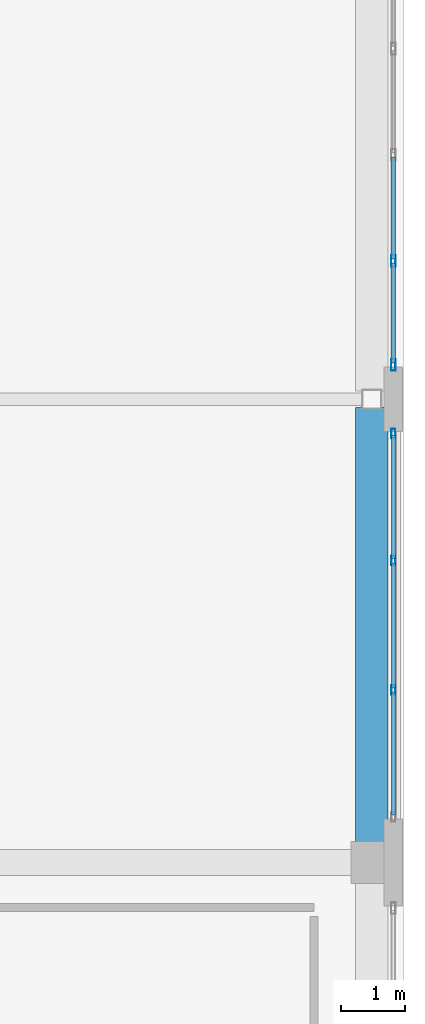
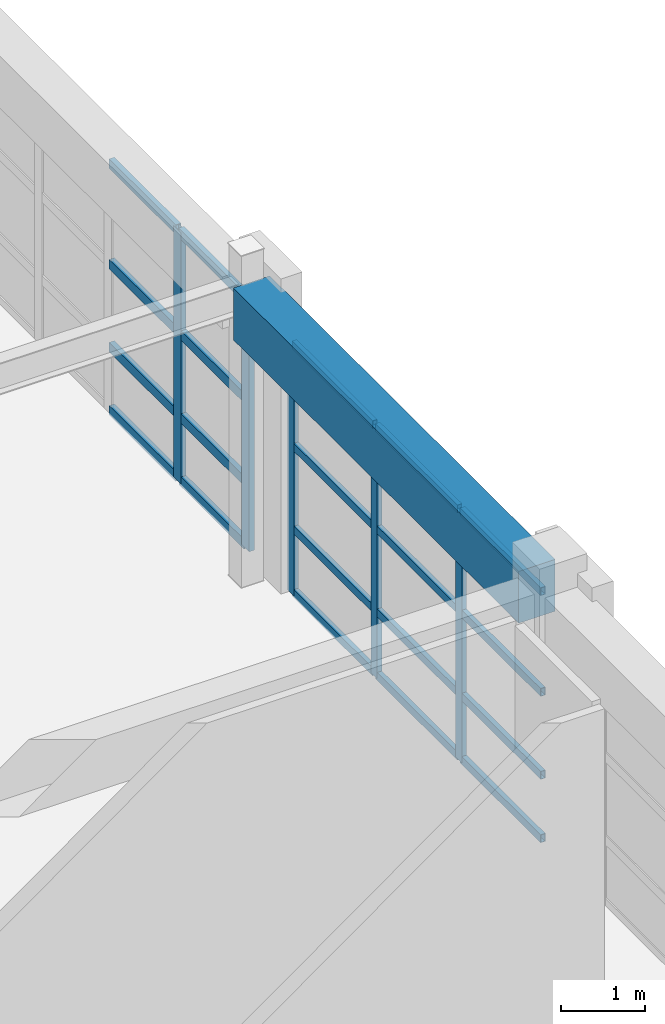
# One storey, part 87 of 123: 25 members, 1 beam, 2 elements without a shape of their own.
"""IFC4 building model written with IfcOpenShell, lengths in metres."""

from ifc_helpers import new_model, si_unit, direction, frame, origin, origin_2d, place, context, subcontext, project, spatial, rectangle, hollow_rectangle, extrude, material, layer, layer_set, material_profile, profile_set, type_object, element, aggregate, save


model = new_model("IFC4")

# Units and contexts
model_context = context("Model", 3, precision=1e-05, world=origin(), true_north=direction((0.0, 1.0)))
body_context = subcontext(model_context, "Body", "Model", "MODEL_VIEW")
ifc_project = project(units=[si_unit("LENGTHUNIT", "METRE"), si_unit("AREAUNIT", "SQUARE_METRE"), si_unit("VOLUMEUNIT", "CUBIC_METRE"), si_unit("PLANEANGLEUNIT", "RADIAN"), si_unit("MASSUNIT", "GRAM", prefix="KILO")], contexts=[model_context])

# Site, building, storey
site_placement = place(None, origin())
site = spatial("IfcSite", under=ifc_project, at=site_placement, CompositionType="ELEMENT")
building_placement = place(site_placement, origin())
building = spatial("IfcBuilding", under=site, at=building_placement, Name="Quendrovan Civic Courthouse", CompositionType="ELEMENT")
storey_placement = place(building_placement, frame((0.0, 0.0, 5.39990234375)))
storey = spatial("IfcBuildingStorey", under=building, at=storey_placement, Name="L02", CompositionType="ELEMENT", Elevation=5.39990234375)

# Beam
ifc_material_1 = material(Name="Concrete C40/50", Category="concrete")
ifc_material_profile_1 = material_profile(ifc_material_1, rectangle(XDim=0.5, YDim=0.75, at=origin_2d()), Name="RC-BM-500x750")
ifc_profile_set_1 = profile_set([ifc_material_profile_1], Name="Concrete C40/50")
beam_type = type_object("IfcBeamType", Name="BM-RC750", PredefinedType="SPANDREL", material=ifc_profile_set_1)
beam_placement = place(storey_placement, frame((160.300048828125, 95.10498046875, 3.985107421875), z_axis=(0.0, 1.0, 0.0), x_axis=(-1.0, 0.0, 0.0)))
element("IfcBeam", 1, at=beam_placement, inside=storey, type_object=beam_type, Name="L02 Girder Y0709", PredefinedType="SPANDREL", context=body_context, shape_type="SweptSolid", body=[
    extrude(rectangle(XDim=0.5, YDim=0.75, at=origin_2d()), origin(), (0.0, 0.0, 1.0), 6.76513671875),
])

# Curtain wall, members
ifc_material_2 = material(Name="Bronze anodised aluminium and low-E glass", Category="aluminium")
ifc_layer_1 = layer(ifc_material_2, 0.179931640625, Name="Bronze anodised aluminium and low-E glass")
ifc_layer_set_1 = layer_set([ifc_layer_1], Name="Bronze anodised aluminium and low-E glass")
curtain_wall_type_1 = type_object("IfcCurtainWallType", Name="CW-U66x36", PredefinedType="USERDEFINED", material=ifc_layer_set_1)
curtain_wall_1_placement = place(storey_placement, origin())
curtain_wall_1 = element("IfcCurtainWall", 2, at=curtain_wall_1_placement, inside=storey, type_object=curtain_wall_type_1, Name="L02 Unitised Hurricane Curtain Wall CW-096", ObjectType="UNITISED CURTAIN WALL", PredefinedType="USERDEFINED")
ifc_material_3 = material(Name="Bronze anodised aluminium", Category="aluminium")
ifc_material_profile_2 = material_profile(ifc_material_3, hollow_rectangle(XDim=0.070068359375, YDim=0.179931640625, WallThickness=0.00390625, at=origin_2d()), Name="CW-MULL-70x180")
ifc_profile_set_2 = profile_set([ifc_material_profile_2], Name="Bronze anodised aluminium")
member_type_1 = type_object("IfcMemberType", Name="CW-MULL-A", PredefinedType="MULLION", material=ifc_profile_set_2)
member_1_placement = place(storey_placement, frame((160.635009765625, 104.14990234375, 0.0), z_axis=(0.0, 0.0, 1.0), x_axis=(1.0, 0.0, 0.0)))
member_1 = element("IfcMember", 3, at=member_1_placement, type_object=member_type_1, Name="CW-096 mullion 4", PredefinedType="MULLION", context=body_context, shape_type="SweptSolid", body=[
    extrude(hollow_rectangle(XDim=0.070068359375, YDim=0.179931640625, WallThickness=0.00390625, at=origin_2d()), origin(), (0.0, 0.0, 1.0), 3.64013671875),
])
member_2_placement = place(storey_placement, frame((160.635009765625, 102.534912109375, 0.0), z_axis=(0.0, 0.0, 1.0), x_axis=(1.0, 0.0, 0.0)))
member_2 = element("IfcMember", 4, at=member_2_placement, type_object=member_type_1, Name="CW-096 mullion 5", PredefinedType="MULLION", context=body_context, shape_type="SweptSolid", body=[
    extrude(hollow_rectangle(XDim=0.070068359375, YDim=0.179931640625, WallThickness=0.00390625, at=origin_2d()), origin(), (0.0, 0.0, 1.0), 3.64013671875),
])

ifc_layer_2 = layer(ifc_material_2, 0.179931640625, Name="Bronze anodised aluminium and low-E glass")
ifc_layer_set_2 = layer_set([ifc_layer_2], Name="Bronze anodised aluminium and low-E glass")
curtain_wall_type_2 = type_object("IfcCurtainWallType", Name="CW-U60x36", PredefinedType="USERDEFINED", material=ifc_layer_set_2)
curtain_wall_2_placement = place(storey_placement, origin())
curtain_wall_2 = element("IfcCurtainWall", 5, at=curtain_wall_2_placement, inside=storey, type_object=curtain_wall_type_2, Name="L02 Unitised Hurricane Curtain Wall CW-097", ObjectType="UNITISED CURTAIN WALL", PredefinedType="USERDEFINED")
ifc_material_profile_3 = material_profile(ifc_material_3, hollow_rectangle(XDim=0.06494140625, YDim=0.14990234375, WallThickness=0.00390625, at=origin_2d()), Name="CW-MULL-65x150")
ifc_profile_set_3 = profile_set([ifc_material_profile_3], Name="Bronze anodised aluminium")
member_type_2 = type_object("IfcMemberType", Name="CW-MULL-B", PredefinedType="MULLION", material=ifc_profile_set_3)
member_3_placement = place(storey_placement, frame((160.635009765625, 101.467529296875, 0.0), z_axis=(0.0, 0.0, 1.0), x_axis=(1.0, 0.0, 0.0)))
member_3 = element("IfcMember", 6, at=member_3_placement, type_object=member_type_2, Name="CW-097 mullion 1", PredefinedType="MULLION", context=body_context, shape_type="SweptSolid", body=[
    extrude(hollow_rectangle(XDim=0.06494140625, YDim=0.14990234375, WallThickness=0.00390625, at=origin_2d()), origin(), (0.0, 0.0, 1.0), 3.64013671875),
])
member_4_placement = place(storey_placement, frame((160.635009765625, 99.49169921875, 0.0), z_axis=(0.0, 0.0, 1.0), x_axis=(1.0, 0.0, 0.0)))
member_4 = element("IfcMember", 7, at=member_4_placement, type_object=member_type_2, Name="CW-097 mullion 2", PredefinedType="MULLION", context=body_context, shape_type="SweptSolid", body=[
    extrude(hollow_rectangle(XDim=0.06494140625, YDim=0.14990234375, WallThickness=0.00390625, at=origin_2d()), origin(), (0.0, 0.0, 1.0), 3.64013671875),
])
member_5_placement = place(storey_placement, frame((160.635009765625, 97.4833984375, 0.0), z_axis=(0.0, 0.0, 1.0), x_axis=(1.0, 0.0, 0.0)))
member_5 = element("IfcMember", 8, at=member_5_placement, type_object=member_type_2, Name="CW-097 mullion 3", PredefinedType="MULLION", context=body_context, shape_type="SweptSolid", body=[
    extrude(hollow_rectangle(XDim=0.06494140625, YDim=0.14990234375, WallThickness=0.00390625, at=origin_2d()), origin(), (0.0, 0.0, 1.0), 3.64013671875),
])

# Member
ifc_material_profile_4 = material_profile(ifc_material_3, hollow_rectangle(XDim=0.070068359375, YDim=0.139892578125, WallThickness=0.00390625, at=origin_2d()), Name="CW-TRAN-70x140")
ifc_profile_set_4 = profile_set([ifc_material_profile_4], Name="Bronze anodised aluminium")
member_type_3 = type_object("IfcMemberType", Name="CW-TRAN-A", PredefinedType="USERDEFINED", material=ifc_profile_set_4)
member_6_placement = place(storey_placement, frame((160.635009765625, 105.764892578125, 0.03515625), z_axis=(0.0, -1.0, 0.0), x_axis=(1.0, 0.0, 0.0)))
member_6 = element("IfcMember", 9, at=member_6_placement, type_object=member_type_3, Name="CW-096 transom 3.1", ObjectType="TRANSOM", PredefinedType="USERDEFINED", context=body_context, shape_type="SweptSolid", body=[
    extrude(hollow_rectangle(XDim=0.070068359375, YDim=0.139892578125, WallThickness=0.00390625, at=origin_2d()), origin(), (0.0, 0.0, 1.0), 1.579833984375),
])

member_7_placement = place(storey_placement, frame((160.635009765625, 105.764892578125, 0.9501953125), z_axis=(0.0, -1.0, 0.0), x_axis=(1.0, 0.0, 0.0)))
member_7 = element("IfcMember", 10, at=member_7_placement, type_object=member_type_3, Name="CW-096 transom 3.2", ObjectType="TRANSOM", PredefinedType="USERDEFINED", context=body_context, shape_type="SweptSolid", body=[
    extrude(hollow_rectangle(XDim=0.070068359375, YDim=0.139892578125, WallThickness=0.00390625, at=origin_2d()), origin(), (0.0, 0.0, 1.0), 1.579833984375),
])

member_8_placement = place(storey_placement, frame((160.635009765625, 105.764892578125, 2.150146484375), z_axis=(0.0, -1.0, 0.0), x_axis=(1.0, 0.0, 0.0)))
member_8 = element("IfcMember", 11, at=member_8_placement, type_object=member_type_3, Name="CW-096 transom 3.3", ObjectType="TRANSOM", PredefinedType="USERDEFINED", context=body_context, shape_type="SweptSolid", body=[
    extrude(hollow_rectangle(XDim=0.070068359375, YDim=0.139892578125, WallThickness=0.00390625, at=origin_2d()), origin(), (0.0, 0.0, 1.0), 1.579833984375),
])

member_9_placement = place(storey_placement, frame((160.635009765625, 105.764892578125, 3.60498046875), z_axis=(0.0, -1.0, 0.0), x_axis=(1.0, 0.0, 0.0)))
member_9 = element("IfcMember", 12, at=member_9_placement, type_object=member_type_3, Name="CW-096 transom 3.4", ObjectType="TRANSOM", PredefinedType="USERDEFINED", context=body_context, shape_type="SweptSolid", body=[
    extrude(hollow_rectangle(XDim=0.070068359375, YDim=0.139892578125, WallThickness=0.00390625, at=origin_2d()), origin(), (0.0, 0.0, 1.0), 1.579833984375),
])

member_10_placement = place(storey_placement, frame((160.635009765625, 104.114990234375, 0.03515625), z_axis=(0.0, -1.0, 0.0), x_axis=(1.0, 0.0, 0.0)))
member_10 = element("IfcMember", 13, at=member_10_placement, type_object=member_type_3, Name="CW-096 transom 4.1", ObjectType="TRANSOM", PredefinedType="USERDEFINED", context=body_context, shape_type="SweptSolid", body=[
    extrude(hollow_rectangle(XDim=0.070068359375, YDim=0.139892578125, WallThickness=0.00390625, at=origin_2d()), origin(), (0.0, 0.0, 1.0), 1.544921875),
])

member_11_placement = place(storey_placement, frame((160.635009765625, 104.114990234375, 0.9501953125), z_axis=(0.0, -1.0, 0.0), x_axis=(1.0, 0.0, 0.0)))
member_11 = element("IfcMember", 14, at=member_11_placement, type_object=member_type_3, Name="CW-096 transom 4.2", ObjectType="TRANSOM", PredefinedType="USERDEFINED", context=body_context, shape_type="SweptSolid", body=[
    extrude(hollow_rectangle(XDim=0.070068359375, YDim=0.139892578125, WallThickness=0.00390625, at=origin_2d()), origin(), (0.0, 0.0, 1.0), 1.544921875),
])

member_12_placement = place(storey_placement, frame((160.635009765625, 104.114990234375, 2.150146484375), z_axis=(0.0, -1.0, 0.0), x_axis=(1.0, 0.0, 0.0)))
member_12 = element("IfcMember", 15, at=member_12_placement, type_object=member_type_3, Name="CW-096 transom 4.3", ObjectType="TRANSOM", PredefinedType="USERDEFINED", context=body_context, shape_type="SweptSolid", body=[
    extrude(hollow_rectangle(XDim=0.070068359375, YDim=0.139892578125, WallThickness=0.00390625, at=origin_2d()), origin(), (0.0, 0.0, 1.0), 1.544921875),
])

member_13_placement = place(storey_placement, frame((160.635009765625, 104.114990234375, 3.60498046875), z_axis=(0.0, -1.0, 0.0), x_axis=(1.0, 0.0, 0.0)))
member_13 = element("IfcMember", 16, at=member_13_placement, type_object=member_type_3, Name="CW-096 transom 4.4", ObjectType="TRANSOM", PredefinedType="USERDEFINED", context=body_context, shape_type="SweptSolid", body=[
    extrude(hollow_rectangle(XDim=0.070068359375, YDim=0.139892578125, WallThickness=0.00390625, at=origin_2d()), origin(), (0.0, 0.0, 1.0), 1.544921875),
])

aggregate(curtain_wall_1, [member_1, member_2, member_6, member_7, member_8, member_9, member_10, member_11, member_12, member_13])

ifc_material_profile_5 = material_profile(ifc_material_3, hollow_rectangle(XDim=0.06494140625, YDim=0.114990234375, WallThickness=0.00390625, at=origin_2d()), Name="CW-TRAN-65x115")
ifc_profile_set_5 = profile_set([ifc_material_profile_5], Name="Bronze anodised aluminium")
member_type_4 = type_object("IfcMemberType", Name="CW-TRAN-B", PredefinedType="USERDEFINED", material=ifc_profile_set_5)
member_14_placement = place(storey_placement, frame((160.635009765625, 101.43505859375, 0.03271484375), z_axis=(0.0, -1.0, 0.0), x_axis=(1.0, 0.0, 0.0)))
member_14 = element("IfcMember", 17, at=member_14_placement, type_object=member_type_4, Name="CW-097 transom 1.1", ObjectType="TRANSOM", PredefinedType="USERDEFINED", context=body_context, shape_type="SweptSolid", body=[
    extrude(hollow_rectangle(XDim=0.06494140625, YDim=0.114990234375, WallThickness=0.00390625, at=origin_2d()), origin(), (0.0, 0.0, 1.0), 1.910888671875),
])

member_15_placement = place(storey_placement, frame((160.635009765625, 101.43505859375, 0.9501953125), z_axis=(0.0, -1.0, 0.0), x_axis=(1.0, 0.0, 0.0)))
member_15 = element("IfcMember", 18, at=member_15_placement, type_object=member_type_4, Name="CW-097 transom 1.2", ObjectType="TRANSOM", PredefinedType="USERDEFINED", context=body_context, shape_type="SweptSolid", body=[
    extrude(hollow_rectangle(XDim=0.06494140625, YDim=0.114990234375, WallThickness=0.00390625, at=origin_2d()), origin(), (0.0, 0.0, 1.0), 1.910888671875),
])

member_16_placement = place(storey_placement, frame((160.635009765625, 101.43505859375, 2.150146484375), z_axis=(0.0, -1.0, 0.0), x_axis=(1.0, 0.0, 0.0)))
member_16 = element("IfcMember", 19, at=member_16_placement, type_object=member_type_4, Name="CW-097 transom 1.3", ObjectType="TRANSOM", PredefinedType="USERDEFINED", context=body_context, shape_type="SweptSolid", body=[
    extrude(hollow_rectangle(XDim=0.06494140625, YDim=0.114990234375, WallThickness=0.00390625, at=origin_2d()), origin(), (0.0, 0.0, 1.0), 1.910888671875),
])

member_17_placement = place(storey_placement, frame((160.635009765625, 101.43505859375, 3.607666015625), z_axis=(0.0, -1.0, 0.0), x_axis=(1.0, 0.0, 0.0)))
member_17 = element("IfcMember", 20, at=member_17_placement, type_object=member_type_4, Name="CW-097 transom 1.4", ObjectType="TRANSOM", PredefinedType="USERDEFINED", context=body_context, shape_type="SweptSolid", body=[
    extrude(hollow_rectangle(XDim=0.06494140625, YDim=0.114990234375, WallThickness=0.00390625, at=origin_2d()), origin(), (0.0, 0.0, 1.0), 1.910888671875),
])

member_18_placement = place(storey_placement, frame((160.635009765625, 99.459228515625, 0.03271484375), z_axis=(0.0, -1.0, 0.0), x_axis=(1.0, 0.0, 0.0)))
member_18 = element("IfcMember", 21, at=member_18_placement, type_object=member_type_4, Name="CW-097 transom 2.1", ObjectType="TRANSOM", PredefinedType="USERDEFINED", context=body_context, shape_type="SweptSolid", body=[
    extrude(hollow_rectangle(XDim=0.06494140625, YDim=0.114990234375, WallThickness=0.00390625, at=origin_2d()), origin(), (0.0, 0.0, 1.0), 1.943359375),
])

member_19_placement = place(storey_placement, frame((160.635009765625, 99.459228515625, 0.9501953125), z_axis=(0.0, -1.0, 0.0), x_axis=(1.0, 0.0, 0.0)))
member_19 = element("IfcMember", 22, at=member_19_placement, type_object=member_type_4, Name="CW-097 transom 2.2", ObjectType="TRANSOM", PredefinedType="USERDEFINED", context=body_context, shape_type="SweptSolid", body=[
    extrude(hollow_rectangle(XDim=0.06494140625, YDim=0.114990234375, WallThickness=0.00390625, at=origin_2d()), origin(), (0.0, 0.0, 1.0), 1.943359375),
])

member_20_placement = place(storey_placement, frame((160.635009765625, 99.459228515625, 2.150146484375), z_axis=(0.0, -1.0, 0.0), x_axis=(1.0, 0.0, 0.0)))
member_20 = element("IfcMember", 23, at=member_20_placement, type_object=member_type_4, Name="CW-097 transom 2.3", ObjectType="TRANSOM", PredefinedType="USERDEFINED", context=body_context, shape_type="SweptSolid", body=[
    extrude(hollow_rectangle(XDim=0.06494140625, YDim=0.114990234375, WallThickness=0.00390625, at=origin_2d()), origin(), (0.0, 0.0, 1.0), 1.943359375),
])

member_21_placement = place(storey_placement, frame((160.635009765625, 99.459228515625, 3.607666015625), z_axis=(0.0, -1.0, 0.0), x_axis=(1.0, 0.0, 0.0)))
member_21 = element("IfcMember", 24, at=member_21_placement, type_object=member_type_4, Name="CW-097 transom 2.4", ObjectType="TRANSOM", PredefinedType="USERDEFINED", context=body_context, shape_type="SweptSolid", body=[
    extrude(hollow_rectangle(XDim=0.06494140625, YDim=0.114990234375, WallThickness=0.00390625, at=origin_2d()), origin(), (0.0, 0.0, 1.0), 1.943359375),
])

member_22_placement = place(storey_placement, frame((160.635009765625, 97.450927734375, 0.03271484375), z_axis=(0.0, -1.0, 0.0), x_axis=(1.0, 0.0, 0.0)))
member_22 = element("IfcMember", 25, at=member_22_placement, type_object=member_type_4, Name="CW-097 transom 3.1", ObjectType="TRANSOM", PredefinedType="USERDEFINED", context=body_context, shape_type="SweptSolid", body=[
    extrude(hollow_rectangle(XDim=0.06494140625, YDim=0.114990234375, WallThickness=0.00390625, at=origin_2d()), origin(), (0.0, 0.0, 1.0), 1.910888671875),
])

member_23_placement = place(storey_placement, frame((160.635009765625, 97.450927734375, 0.9501953125), z_axis=(0.0, -1.0, 0.0), x_axis=(1.0, 0.0, 0.0)))
member_23 = element("IfcMember", 26, at=member_23_placement, type_object=member_type_4, Name="CW-097 transom 3.2", ObjectType="TRANSOM", PredefinedType="USERDEFINED", context=body_context, shape_type="SweptSolid", body=[
    extrude(hollow_rectangle(XDim=0.06494140625, YDim=0.114990234375, WallThickness=0.00390625, at=origin_2d()), origin(), (0.0, 0.0, 1.0), 1.910888671875),
])

member_24_placement = place(storey_placement, frame((160.635009765625, 97.450927734375, 2.150146484375), z_axis=(0.0, -1.0, 0.0), x_axis=(1.0, 0.0, 0.0)))
member_24 = element("IfcMember", 27, at=member_24_placement, type_object=member_type_4, Name="CW-097 transom 3.3", ObjectType="TRANSOM", PredefinedType="USERDEFINED", context=body_context, shape_type="SweptSolid", body=[
    extrude(hollow_rectangle(XDim=0.06494140625, YDim=0.114990234375, WallThickness=0.00390625, at=origin_2d()), origin(), (0.0, 0.0, 1.0), 1.910888671875),
])

member_25_placement = place(storey_placement, frame((160.635009765625, 97.450927734375, 3.607666015625), z_axis=(0.0, -1.0, 0.0), x_axis=(1.0, 0.0, 0.0)))
member_25 = element("IfcMember", 28, at=member_25_placement, type_object=member_type_4, Name="CW-097 transom 3.4", ObjectType="TRANSOM", PredefinedType="USERDEFINED", context=body_context, shape_type="SweptSolid", body=[
    extrude(hollow_rectangle(XDim=0.06494140625, YDim=0.114990234375, WallThickness=0.00390625, at=origin_2d()), origin(), (0.0, 0.0, 1.0), 1.910888671875),
])

aggregate(curtain_wall_2, [member_3, member_4, member_5, member_14, member_15, member_16, member_17, member_18, member_19, member_20, member_21, member_22, member_23, member_24, member_25])

save(model, "model.ifc")
